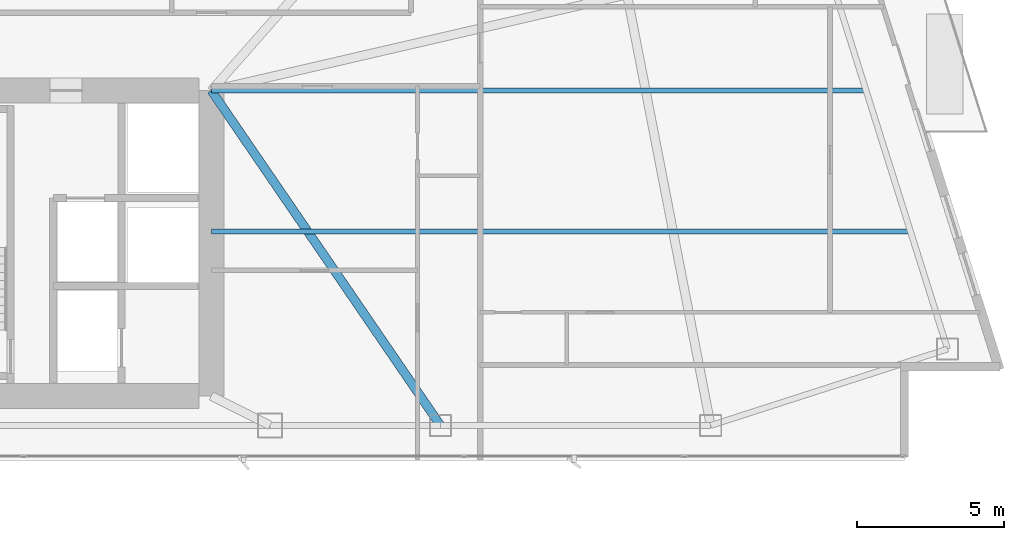
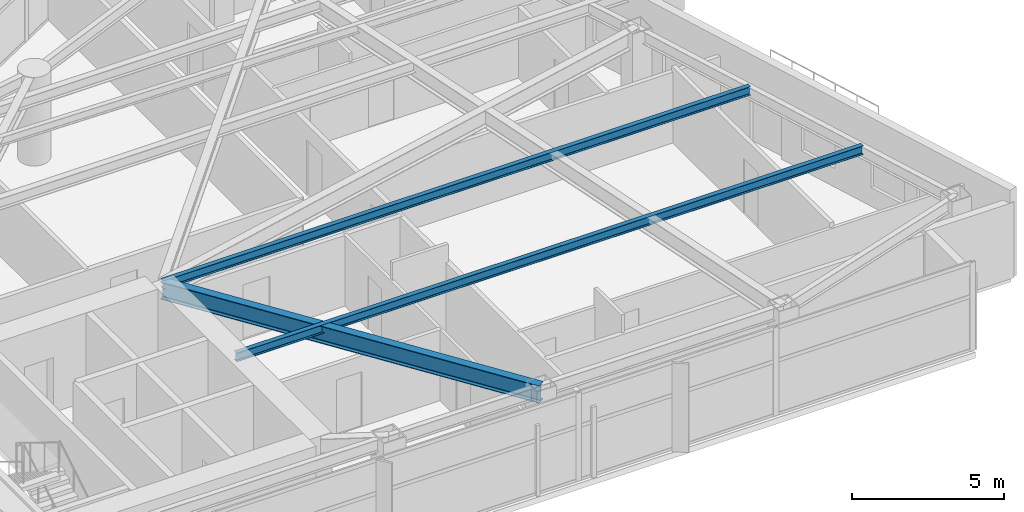
# One storey, part 13 of 28: 3 beams.
"""IFC4 building model written with IfcOpenShell, lengths in metres."""

from ifc_helpers import new_model, si_unit, direction, frame, origin, origin_2d, place, context, subcontext, project, spatial, i_section, extrude, material, material_profile, profile_set, type_object, element, save


model = new_model("IFC4")

# Units and contexts
model_context = context("Model", 3, precision=1e-05, world=origin(), true_north=direction((0.0, 1.0)))
body_context = subcontext(model_context, "Body", "Model", "MODEL_VIEW")
ifc_project = project(units=[si_unit("LENGTHUNIT", "METRE"), si_unit("AREAUNIT", "SQUARE_METRE"), si_unit("VOLUMEUNIT", "CUBIC_METRE"), si_unit("PLANEANGLEUNIT", "RADIAN"), si_unit("MASSUNIT", "GRAM", prefix="KILO")], contexts=[model_context])

# Site, building, storey
site_placement = place(None, origin())
site = spatial("IfcSite", under=ifc_project, at=site_placement, CompositionType="ELEMENT")
building_placement = place(site_placement, origin())
building = spatial("IfcBuilding", under=site, at=building_placement, Name="Calvorn Quay Hotel", CompositionType="ELEMENT")
storey_placement = place(building_placement, frame((0.0, 0.0, 131.60009765625)))
storey = spatial("IfcBuildingStorey", under=building, at=storey_placement, Name="L32", CompositionType="ELEMENT", Elevation=131.60009765625)

# Beams
ifc_material_1 = material(Name="Steel Q390GJC", Category="steel")
ifc_material_profile_1 = material_profile(ifc_material_1, i_section(OverallWidth=0.300048828125, OverallDepth=0.699951171875, WebThickness=0.012939453125, FlangeThickness=0.02392578125, FilletRadius=0.02392578125, at=origin_2d()), Name="HN700x300x13x24")
ifc_profile_set_1 = profile_set([ifc_material_profile_1], Name="Steel Q390GJC")
beam_type_1 = type_object("IfcBeamType", Name="BM-GIRD-MAIN", PredefinedType="BEAM", material=ifc_profile_set_1)
beam_1_placement = place(storey_placement, frame((40.199951171875, 3.60009765625, 3.18994140625), z_axis=(-0.564689618177, 0.825303359452, 0.0), x_axis=(-0.825303359452, -0.564689618177, 0.0)))
element("IfcBeam", 1, at=beam_1_placement, inside=storey, type_object=beam_type_1, Name="Beam BG-L32-E6", PredefinedType="BEAM", context=body_context, shape_type="SweptSolid", body=[
    extrude(i_section(OverallWidth=0.300048828125, OverallDepth=0.699951171875, WebThickness=0.012939453125, FlangeThickness=0.02392578125, FilletRadius=0.02392578125, at=origin_2d()), origin(), (0.0, 0.0, 1.0), 13.81298828125),
])
ifc_material_2 = material(Name="Steel Q355B", Category="steel")
ifc_material_profile_2 = material_profile(ifc_material_2, i_section(OverallWidth=0.175048828125, OverallDepth=0.35009765625, WebThickness=0.007080078125, FlangeThickness=0.010986328125, FilletRadius=0.013916015625, at=origin_2d()), Name="HN350x175x7x11")
ifc_profile_set_2 = profile_set([ifc_material_profile_2], Name="Steel Q355B")
beam_type_2 = type_object("IfcBeamType", Name="BM-JOIST-SEC", PredefinedType="JOIST", material=ifc_profile_set_2)
beam_2_placement = place(storey_placement, frame((32.39990234375, 10.199951171875, 3.364990234375), z_axis=(1.0, 0.0, 0.0), x_axis=(0.0, 1.0, 0.0)))
element("IfcBeam", 2, at=beam_2_placement, inside=storey, type_object=beam_type_2, Name="Beam BJ-L32-E1", PredefinedType="JOIST", context=body_context, shape_type="SweptSolid", body=[
    extrude(i_section(OverallWidth=0.175048828125, OverallDepth=0.35009765625, WebThickness=0.007080078125, FlangeThickness=0.010986328125, FilletRadius=0.013916015625, at=origin_2d()), origin(), (0.0, 0.0, 1.0), 23.801025390625),
])
beam_3_placement = place(storey_placement, frame((32.39990234375, 15.0, 3.364990234375), z_axis=(1.0, 0.0, 0.0), x_axis=(0.0, 1.0, 0.0)))
element("IfcBeam", 3, at=beam_3_placement, inside=storey, type_object=beam_type_2, Name="Beam BJ-L32-E2", PredefinedType="JOIST", context=body_context, shape_type="SweptSolid", body=[
    extrude(i_section(OverallWidth=0.175048828125, OverallDepth=0.35009765625, WebThickness=0.007080078125, FlangeThickness=0.010986328125, FilletRadius=0.013916015625, at=origin_2d()), origin(), (0.0, 0.0, 1.0), 22.2880859375),
])

save(model, "model.ifc")
